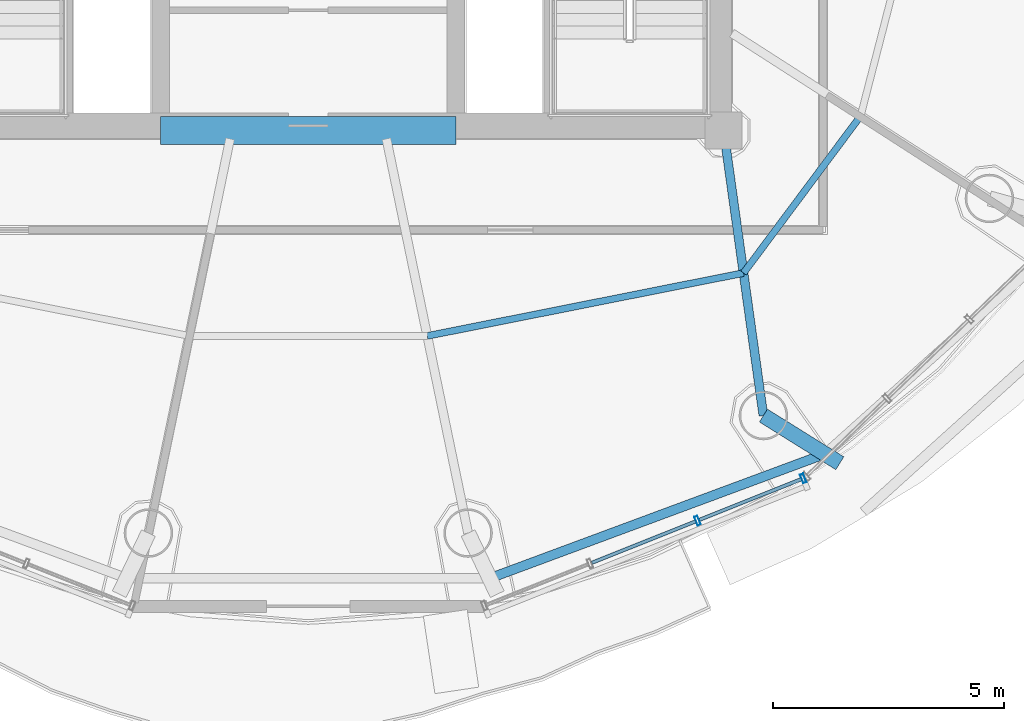
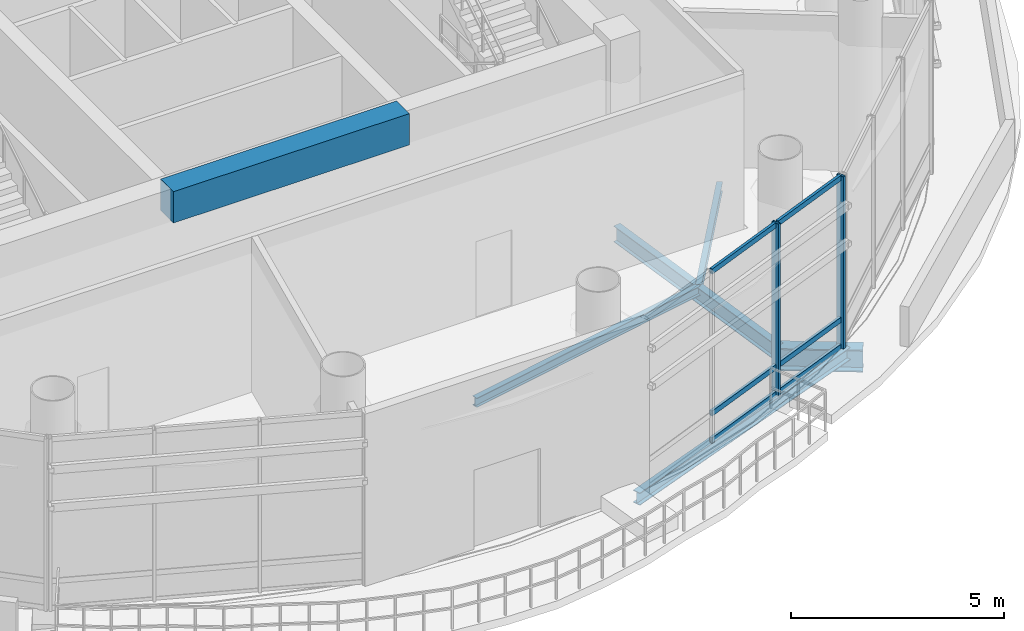
# One storey, part 5 of 22: 8 members, 6 beams, 1 element without a shape of its own.
"""IFC4 building model written with IfcOpenShell, lengths in metres."""

from ifc_helpers import new_model, si_unit, direction, frame, origin, origin_2d, place, context, subcontext, project, spatial, rectangle, hollow_rectangle, i_section, extrude, source, transform, mapped, material, material_profile, profile_set, type_object, element, aggregate, save


model = new_model("IFC4")

# Units and contexts
model_context = context("Model", 3, precision=1e-05, world=origin(), true_north=direction((-0.2419218956, 0.970295726276)))
body_context = subcontext(model_context, "Body", "Model", "MODEL_VIEW")
ifc_project = project(units=[si_unit("LENGTHUNIT", "METRE"), si_unit("AREAUNIT", "SQUARE_METRE"), si_unit("VOLUMEUNIT", "CUBIC_METRE"), si_unit("PLANEANGLEUNIT", "RADIAN"), si_unit("MASSUNIT", "GRAM", prefix="KILO")], contexts=[model_context])

# Site, building, storey
site_placement = place(None, origin())
site = spatial("IfcSite", under=ifc_project, at=site_placement, CompositionType="ELEMENT")
building_placement = place(site_placement, origin())
building = spatial("IfcBuilding", under=site, at=building_placement, Name="Cobrevalo Terracotta Tower", CompositionType="ELEMENT")
storey_placement = place(building_placement, frame((0.0, 0.0, 243.0)))
storey = spatial("IfcBuildingStorey", under=building, at=storey_placement, Name="L64", CompositionType="ELEMENT", Elevation=243.0)

# Beams
ifc_material_1 = material(Name="Concrete C60", Category="concrete")
ifc_material_profile_1 = material_profile(ifc_material_1, rectangle(XDim=0.60009765625, YDim=0.89990234375, at=origin_2d()), Name="RC CB 600x900")
ifc_profile_set_1 = profile_set([ifc_material_profile_1], Name="Concrete C60")
beam_type_1 = type_object("IfcBeamType", Name="Structural Beam RC CB 600x900 (Concrete C60)", PredefinedType="BEAM", material=ifc_profile_set_1)
beam_1_placement = place(storey_placement, frame((34.800048828125, 18.800048828125, 4.489990234375), z_axis=(1.0, 0.0, 0.0), x_axis=(0.0, 1.0, 0.0)))
element("IfcBeam", 1, at=beam_1_placement, inside=storey, type_object=beam_type_1, Name="L64 core coupling beam 1", PredefinedType="BEAM", context=body_context, shape_type="SweptSolid", body=[
    extrude(rectangle(XDim=0.60009765625, YDim=0.89990234375, at=origin_2d()), origin(), (0.0, 0.0, 1.0), 6.39990234375),
])
ifc_material_2 = material(Name="Steel S355", Category="steel")
ifc_material_profile_2 = material_profile(ifc_material_2, i_section(OverallWidth=0.19091796875, OverallDepth=0.4599609375, WebThickness=0.010009765625, FlangeThickness=0.01611328125, at=origin_2d()), Name="W 460x82")
ifc_profile_set_2 = profile_set([ifc_material_profile_2], Name="Steel S355")
beam_type_2 = type_object("IfcBeamType", Name="Structural Beam W 460x82 (Steel S355)", PredefinedType="BEAM", material=ifc_profile_set_2)
beam_2_placement = place(storey_placement, frame((47.861328125, 12.62353515625, -0.679931640625), z_axis=(-0.138115657759, 0.990416107039, 0.0), x_axis=(-0.990416107039, -0.138115657759, 0.0)))
element("IfcBeam", 2, at=beam_2_placement, inside=storey, type_object=beam_type_2, Name="L64 radial floor girder 14", PredefinedType="BEAM", context=body_context, shape_type="SweptSolid", body=[
    extrude(i_section(OverallWidth=0.19091796875, OverallDepth=0.4599609375, WebThickness=0.010009765625, FlangeThickness=0.01611328125, at=origin_2d()), origin(), (0.0, 0.0, 1.0), 6.236328125),
])
ifc_material_profile_3 = material_profile(ifc_material_2, i_section(OverallWidth=0.3291015625, OverallDepth=0.635009765625, WebThickness=0.017822265625, FlangeThickness=0.031005859375, at=origin_2d()), Name="W 610x241")
ifc_profile_set_3 = profile_set([ifc_material_profile_3], Name="Steel S355")
beam_type_3 = type_object("IfcBeamType", Name="Structural Beam W 610x241 (Steel S355)", PredefinedType="BEAM", material=ifc_profile_set_3)
beam_3_placement = place(storey_placement, frame((49.51708984375, 11.5908203125, -0.767578125), z_axis=(-0.848489940714, 0.52921150829, 0.0), x_axis=(-0.52921150829, -0.848489940714, 0.0)))
element("IfcBeam", 3, at=beam_3_placement, inside=storey, type_object=beam_type_3, Name="L64 setback step-link girder 14", PredefinedType="BEAM", context=body_context, shape_type="SweptSolid", body=[
    extrude(i_section(OverallWidth=0.3291015625, OverallDepth=0.635009765625, WebThickness=0.017822265625, FlangeThickness=0.031005859375, at=origin_2d()), origin(), (0.0, 0.0, 1.0), 1.951416015625),
])
ifc_material_profile_4 = material_profile(ifc_material_2, i_section(OverallWidth=0.14794921875, OverallDepth=0.26611328125, WebThickness=0.007568359375, FlangeThickness=0.012939453125, at=origin_2d()), Name="W 250x44.8")
ifc_profile_set_4 = profile_set([ifc_material_profile_4], Name="Steel S355")
beam_type_4 = type_object("IfcBeamType", Name="Structural Joist W 250x44.8 (Steel S355)", PredefinedType="JOIST", material=ifc_profile_set_4)
beam_4_placement = place(storey_placement, frame((40.578369140625, 14.348876953125, -0.5830078125), z_axis=(0.980791119938, 0.195060962393, 0.0), x_axis=(-0.195060962393, 0.980791119938, 0.0)))
element("IfcBeam", 4, at=beam_4_placement, inside=storey, type_object=beam_type_4, Name="L64 circumferential secondary floor joist 13", PredefinedType="JOIST", context=body_context, shape_type="SweptSolid", body=[
    extrude(i_section(OverallWidth=0.14794921875, OverallDepth=0.26611328125, WebThickness=0.007568359375, FlangeThickness=0.012939453125, at=origin_2d()), origin(), (0.0, 0.0, 1.0), 6.986572265625),
])
beam_5_placement = place(storey_placement, frame((47.4306640625, 15.711669921875, -0.5830078125), z_axis=(0.597597255521, 0.801796433139, 0.0), x_axis=(-0.801796433139, 0.597597255521, 0.0)))
element("IfcBeam", 5, at=beam_5_placement, inside=storey, type_object=beam_type_4, Name="L64 circumferential secondary floor joist 14", PredefinedType="JOIST", context=body_context, shape_type="SweptSolid", body=[
    extrude(i_section(OverallWidth=0.14794921875, OverallDepth=0.26611328125, WebThickness=0.007568359375, FlangeThickness=0.012939453125, at=origin_2d()), origin(), (0.0, 0.0, 1.0), 4.248046875),
])
ifc_material_profile_5 = material_profile(ifc_material_2, i_section(OverallWidth=0.205078125, OverallDepth=0.35400390625, WebThickness=0.009521484375, FlangeThickness=0.016845703125, at=origin_2d()), Name="W 360x79")
ifc_profile_set_5 = profile_set([ifc_material_profile_5], Name="Steel S355")
beam_type_5 = type_object("IfcBeamType", Name="Structural Spandrel W 360x79 (Steel S355)", PredefinedType="SPANDREL", material=ifc_profile_set_5)
beam_6_placement = place(storey_placement, frame((41.93115234375, 9.096923828125, -0.626953125), z_axis=(0.937545996665, 0.347861328892, 0.0), x_axis=(-0.347861328892, 0.937545996665, 0.0)))
element("IfcBeam", 6, at=beam_6_placement, inside=storey, type_object=beam_type_5, Name="L64 perimeter ring spandrel 13", PredefinedType="SPANDREL", context=body_context, shape_type="SweptSolid", body=[
    extrude(i_section(OverallWidth=0.205078125, OverallDepth=0.35400390625, WebThickness=0.009521484375, FlangeThickness=0.016845703125, at=origin_2d()), origin(), (0.0, 0.0, 1.0), 7.74755859375),
])

# Curtain wall, members
ifc_material_3 = material(Name="Anodized aluminium", Category="aluminium")
curtain_wall_type = type_object("IfcCurtainWallType", Name="Double-height sky-lobby panoramic curtain wall CW-SK", PredefinedType="NOTDEFINED", material=ifc_material_3)
curtain_wall_placement = place(storey_placement, origin())
curtain_wall = element("IfcCurtainWall", 7, at=curtain_wall_placement, inside=storey, type_object=curtain_wall_type, Name="L64 curtain wall CW-SK-L64-S13", PredefinedType="NOTDEFINED")
ifc_material_profile_6 = material_profile(ifc_material_3, hollow_rectangle(XDim=0.074951171875, YDim=0.199951171875, WallThickness=0.0048828125, at=origin_2d()), Name="CWM 75x200")
ifc_profile_set_6 = profile_set([ifc_material_profile_6], Name="Anodized aluminium")
member_type_1 = type_object("IfcMemberType", Name="Lower/mid tower unitised mullion 75x200", PredefinedType="MULLION", material=ifc_profile_set_6)
shared_shape_1 = source(origin(), body_context, "Body", "SweptSolid", [
    extrude(hollow_rectangle(XDim=0.074951171875, YDim=0.199951171875, WallThickness=0.0048828125, at=origin_2d()), origin(), (0.0, 0.0, 1.0), 4.93994140625),
])
member_1_placement = place(storey_placement, frame((46.433837890625, 10.34716796875, 0.0), z_axis=(0.0, 0.0, 1.0), x_axis=(0.928718980883, 0.370784377433, 0.0)))
member_1 = element("IfcMember", 8, at=member_1_placement, type_object=member_type_1, Name="CW-SK-L64-S13 vertical mullion 03", PredefinedType="MULLION", context=body_context, shape_type="MappedRepresentation", body=[
    mapped(shared_shape_1, transform((0.0, 0.0, 0.0), scale=1.0)),
])
member_2_placement = place(storey_placement, frame((48.724365234375, 11.26171875, 0.0), z_axis=(0.0, 0.0, 1.0), x_axis=(0.928718980883, 0.370784377433, 0.0)))
member_2 = element("IfcMember", 9, at=member_2_placement, type_object=member_type_1, Name="CW-SK-L64-S13 vertical mullion 04", PredefinedType="MULLION", context=body_context, shape_type="MappedRepresentation", body=[
    mapped(shared_shape_1, transform((0.0, 0.0, 0.0), scale=1.0)),
])
ifc_material_profile_7 = material_profile(ifc_material_3, hollow_rectangle(XDim=0.074951171875, YDim=0.14990234375, WallThickness=0.00439453125, at=origin_2d()), Name="CWT 75x150")
ifc_profile_set_7 = profile_set([ifc_material_profile_7], Name="Anodized aluminium")
member_type_2 = type_object("IfcMemberType", Name="Tower unitised aluminium transom 75x150", PredefinedType="USERDEFINED", material=ifc_profile_set_7)
shared_shape_2 = source(origin(), body_context, "Body", "SweptSolid", [
    extrude(hollow_rectangle(XDim=0.074951171875, YDim=0.14990234375, WallThickness=0.00439453125, at=origin_2d()), origin(), (0.0, 0.0, 1.0), 2.38623046875),
])
member_3_placement = place(storey_placement, frame((46.470947265625, 10.362060546875, 0.050048828125), z_axis=(0.928716409011, 0.370790819242, 0.0), x_axis=(-0.370790819242, 0.928716409011, 0.0)))
member_3 = element("IfcMember", 10, at=member_3_placement, type_object=member_type_2, Name="CW-SK-L64-S13 transom B03-T1", ObjectType="TRANSOM", PredefinedType="USERDEFINED", context=body_context, shape_type="MappedRepresentation", body=[
    mapped(shared_shape_2, transform((0.0, 0.0, 0.0), scale=1.0)),
])
member_4_placement = place(storey_placement, frame((46.470947265625, 10.362060546875, 0.820068359375), z_axis=(0.928716409011, 0.370790819242, 0.0), x_axis=(-0.370790819242, 0.928716409011, 0.0)))
member_4 = element("IfcMember", 11, at=member_4_placement, type_object=member_type_2, Name="CW-SK-L64-S13 transom B03-T2", ObjectType="TRANSOM", PredefinedType="USERDEFINED", context=body_context, shape_type="MappedRepresentation", body=[
    mapped(shared_shape_2, transform((0.0, 0.0, 0.0), scale=1.0)),
])
member_5_placement = place(storey_placement, frame((46.470947265625, 10.362060546875, 4.889892578125), z_axis=(0.928716409011, 0.370790819242, 0.0), x_axis=(-0.370790819242, 0.928716409011, 0.0)))
member_5 = element("IfcMember", 12, at=member_5_placement, type_object=member_type_2, Name="CW-SK-L64-S13 transom B03-T3", ObjectType="TRANSOM", PredefinedType="USERDEFINED", context=body_context, shape_type="MappedRepresentation", body=[
    mapped(shared_shape_2, transform((0.0, 0.0, 0.0), scale=1.0)),
])
shared_shape_3 = source(origin(), body_context, "Body", "SweptSolid", [
    extrude(hollow_rectangle(XDim=0.074951171875, YDim=0.14990234375, WallThickness=0.00439453125, at=origin_2d()), origin(), (0.0, 0.0, 1.0), 2.426025390625),
])
member_6_placement = place(storey_placement, frame((44.1435546875, 9.432861328125, 0.050048828125), z_axis=(0.92874018415, 0.37073126432, 0.0), x_axis=(-0.37073126432, 0.92874018415, 0.0)))
member_6 = element("IfcMember", 13, at=member_6_placement, type_object=member_type_2, Name="CW-SK-L64-S13 transom B02-T1", ObjectType="TRANSOM", PredefinedType="USERDEFINED", context=body_context, shape_type="MappedRepresentation", body=[
    mapped(shared_shape_3, transform((0.0, 0.0, 0.0), scale=1.0)),
])
member_7_placement = place(storey_placement, frame((44.1435546875, 9.432861328125, 0.820068359375), z_axis=(0.92874018415, 0.37073126432, 0.0), x_axis=(-0.37073126432, 0.92874018415, 0.0)))
member_7 = element("IfcMember", 14, at=member_7_placement, type_object=member_type_2, Name="CW-SK-L64-S13 transom B02-T2", ObjectType="TRANSOM", PredefinedType="USERDEFINED", context=body_context, shape_type="MappedRepresentation", body=[
    mapped(shared_shape_3, transform((0.0, 0.0, 0.0), scale=1.0)),
])
member_8_placement = place(storey_placement, frame((44.1435546875, 9.432861328125, 4.889892578125), z_axis=(0.92874018415, 0.37073126432, 0.0), x_axis=(-0.37073126432, 0.92874018415, 0.0)))
member_8 = element("IfcMember", 15, at=member_8_placement, type_object=member_type_2, Name="CW-SK-L64-S13 transom B02-T3", ObjectType="TRANSOM", PredefinedType="USERDEFINED", context=body_context, shape_type="MappedRepresentation", body=[
    mapped(shared_shape_3, transform((0.0, 0.0, 0.0), scale=1.0)),
])
aggregate(curtain_wall, [member_1, member_2, member_6, member_7, member_8, member_3, member_4, member_5])

save(model, "model.ifc")
